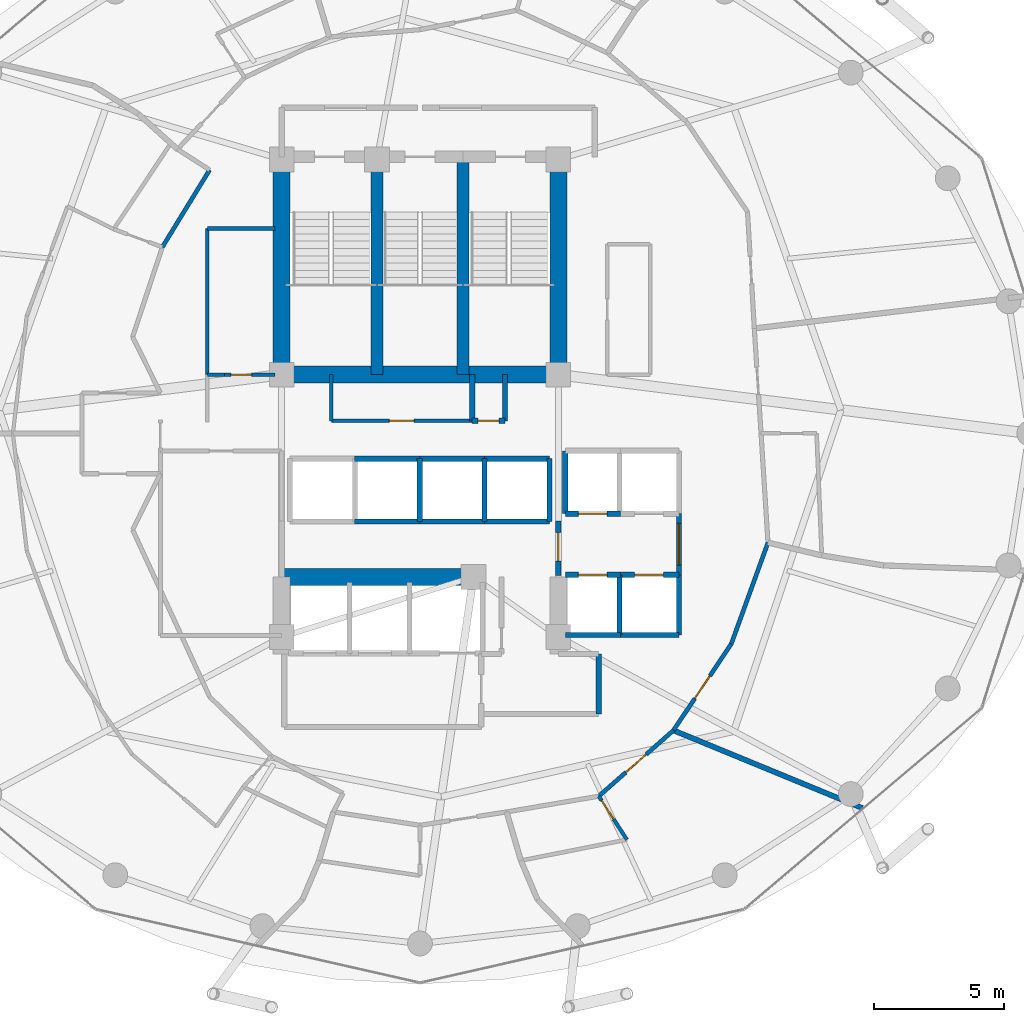
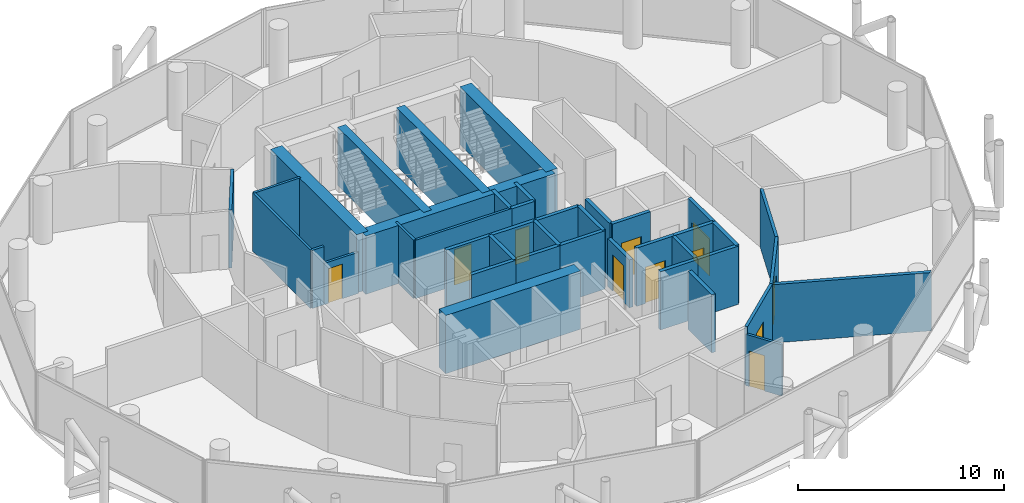
# One storey, part 23 of 26: 41 walls, 11 doors, 11 openings.
"""IFC4 building model written with IfcOpenShell, lengths in metres."""

from ifc_helpers import new_model, si_unit, direction, frame, frame_2d, origin, place, context, subcontext, project, spatial, rectangle, extrude, material, layer, layer_set, type_object, element, fill, save


model = new_model("IFC4")

# Units and contexts
model_context = context("Model", 3, precision=1e-05, world=origin(), true_north=direction((0.0, 1.0)))
body_context = subcontext(model_context, "Body", "Model", "MODEL_VIEW")
ifc_project = project(units=[si_unit("LENGTHUNIT", "METRE"), si_unit("AREAUNIT", "SQUARE_METRE"), si_unit("VOLUMEUNIT", "CUBIC_METRE"), si_unit("PLANEANGLEUNIT", "RADIAN"), si_unit("MASSUNIT", "GRAM", prefix="KILO")], contexts=[model_context])

# Site, building, storey
site_placement = place(None, origin())
site = spatial("IfcSite", under=ifc_project, at=site_placement, CompositionType="ELEMENT")
building_placement = place(site_placement, origin())
building = spatial("IfcBuilding", under=site, at=building_placement, Name="Nuhasar Tower", CompositionType="ELEMENT")
storey_placement = place(building_placement, frame((0.0, 0.0, 121.949951171875)))
storey = spatial("IfcBuildingStorey", under=building, at=storey_placement, Name="L28", CompositionType="ELEMENT", Elevation=121.949951171875)

# Walls
ifc_material_1 = material(Name="Concrete C50/60", Category="concrete")
ifc_layer_1 = layer(ifc_material_1, 0.449951171875)
ifc_layer_set_1 = layer_set([ifc_layer_1], Name="Concrete C50/60")
wall_type_1 = type_object("IfcWallType", Name="WL-CORE-450", PredefinedType="SHEAR", material=ifc_layer_set_1)
for number, where, z_axis, x_axis, name in (
    (1, (37.35009765625, 29.050048828125, 0.0), (0.0, 0.0, 1.0), (0.0, 1.0, 0.0), "L28 Stairwell Shear Wall ST01-E"),
    (2, (40.64990234375, 29.050048828125, 0.0), (0.0, 0.0, 1.0), (0.0, 1.0, 0.0), "L28 Stairwell Shear Wall ST03-E"),
):
    element("IfcWall", number, at=place(storey_placement, frame(where, z_axis=z_axis, x_axis=x_axis)), inside=storey, type_object=wall_type_1, Name=name, PredefinedType="SHEAR", context=body_context, shape_type="SweptSolid", body=[
        extrude(rectangle(XDim=8.349853515625, YDim=0.449951171875, at=frame_2d((4.1748046875, 0.0))), origin(), (0.0, 0.0, 1.0), 3.449951171875),
    ])
ifc_material_2 = material(Name="Concrete C65/80", Category="concrete")
ifc_layer_2 = layer(ifc_material_2, 0.64990234375)
ifc_layer_set_2 = layer_set([ifc_layer_2], Name="Concrete C65/80")
wall_type_2 = type_object("IfcWallType", Name="WL-CORE-650", PredefinedType="SHEAR", material=ifc_layer_set_2)
for number, where, z_axis, x_axis, name in (
    (3, (33.699951171875, 29.050048828125, 0.0), (0.0, 0.0, 1.0), (0.0, 1.0, 0.0), "L28 Core Shear Wall CW-NW CW-650"),
    (4, (44.300048828125, 29.050048828125, 0.0), (0.0, 0.0, 1.0), (0.0, 1.0, 0.0), "L28 Core Shear Wall CW-NE CW-650"),
):
    element("IfcWall", number, at=place(storey_placement, frame(where, z_axis=z_axis, x_axis=x_axis)), inside=storey, type_object=wall_type_2, Name=name, PredefinedType="SHEAR", context=body_context, shape_type="SweptSolid", body=[
        extrude(rectangle(XDim=8.349853515625, YDim=0.64990234375, at=frame_2d((4.1748046875, 0.0))), origin(), (0.0, 0.0, 1.0), 3.449951171875),
    ])
wall_1_placement = place(storey_placement, frame((33.699951171875, 29.050048828125, 0.0), z_axis=(0.0, 0.0, 1.0), x_axis=(1.0, 0.0, 0.0)))
element("IfcWall", 5, at=wall_1_placement, inside=storey, type_object=wall_type_2, Name="L28 Core Shear Wall CW-N1 CW-650", PredefinedType="SHEAR", context=body_context, shape_type="SweptSolid", body=[
    extrude(rectangle(XDim=10.60009765625, YDim=0.64990234375, at=frame_2d((5.300048828125, 0.0))), origin(), (0.0, 0.0, 1.0), 3.449951171875),
])
wall_2_placement = place(storey_placement, frame((33.699951171875, 21.300048828125, 0.0), z_axis=(0.0, 0.0, 1.0), x_axis=(1.0, 0.0, 0.0)))
element("IfcWall", 6, at=wall_2_placement, inside=storey, type_object=wall_type_2, Name="L28 Core Shear Wall CW-S1 CW-650", PredefinedType="SHEAR", context=body_context, shape_type="SweptSolid", body=[
    extrude(rectangle(XDim=7.550048828125, YDim=0.64990234375, at=frame_2d((3.77490234375, 0.0))), origin(), (0.0, 0.0, 1.0), 3.449951171875),
])

# Wall, opening, door
ifc_material_3 = material(Name="Gypsum Board", Category="gypsum")
ifc_layer_3 = layer(ifc_material_3, 0.159912109375)
ifc_layer_set_3 = layer_set([ifc_layer_3], Name="Gypsum Board")
wall_type_3 = type_object("IfcWallType", Name="WL-CORR-160", PredefinedType="PARTITIONING", material=ifc_layer_set_3)
wall_3_placement = place(storey_placement, frame((48.714111328125, 15.41796875, 0.0), z_axis=(0.0, 0.0, 1.0), x_axis=(-0.75014962781, -0.661268127083, 0.0)))
wall_3 = element("IfcWall", 7, at=wall_3_placement, inside=storey, type_object=wall_type_3, Name="L28 Interior Partition CORR-40", PredefinedType="PARTITIONING", context=body_context, shape_type="SweptSolid", body=[
    extrude(rectangle(XDim=3.8154296875, YDim=0.159912109375, at=frame_2d((1.90771484375, 0.0))), origin(), (0.0, 0.0, 1.0), 3.449951171875),
])
opening_1_placement = place(wall_3_placement, frame((1.383056640625, 0.0, 0.0)))
opening_1 = element("IfcOpeningElement", 8, at=opening_1_placement, cuts=wall_3, Name="Opening DU-01", PredefinedType="OPENING", context=body_context, shape_type="SweptSolid", body=[
    extrude(rectangle(XDim=1.050048828125, YDim=2.14990234375, at=frame_2d((0.52490234375, 1.074951171875))), frame((0.0, 0.08984375, 0.0), z_axis=(0.0, -1.0, 0.0), x_axis=(1.0, 0.0, 0.0)), (0.0, 0.0, 1.0), 0.179931640625),
])
ifc_material_4 = material(Name="Timber Oak", Category="wood")
door_type_1 = type_object("IfcDoorType", Name="DR-SUITE-FD60-1050", OperationType="NOTDEFINED", PredefinedType="DOOR", material=ifc_material_4)
door_1_placement = place(opening_1_placement, origin())
door_1 = element("IfcDoor", 9, at=door_1_placement, inside=storey, type_object=door_type_1, Name="L28 Deluxe Junior Suite 02 Entrance Door", OperationType="SINGLE_SWING_LEFT", OverallHeight=2.14990234375, OverallWidth=1.050048828125, PredefinedType="DOOR", context=body_context, shape_type="SweptSolid", body=[
    extrude(rectangle(XDim=1.050048828125, YDim=2.14990234375, at=frame_2d((0.52490234375, 1.074951171875))), frame((0.0, 0.02490234375, 0.0), z_axis=(0.0, -1.0, 0.0), x_axis=(1.0, 0.0, 0.0)), (0.0, 0.0, 1.0), 0.050048828125),
])
fill(opening_1, door_1)

wall_4_placement = place(storey_placement, frame((50.929931640625, 18.72998046875, 0.0), z_axis=(0.0, 0.0, 1.0), x_axis=(-0.556056751682, -0.831144324958, 0.0)))
wall_4 = element("IfcWall", 10, at=wall_4_placement, inside=storey, type_object=wall_type_3, Name="L28 Interior Partition CORR-42", PredefinedType="PARTITIONING", context=body_context, shape_type="SweptSolid", body=[
    extrude(rectangle(XDim=3.98486328125, YDim=0.159912109375, at=frame_2d((1.992431640625, 0.0))), origin(), (0.0, 0.0, 1.0), 3.449951171875),
])
opening_2_placement = place(wall_4_placement, frame((1.467041015625, 0.0, 0.0)))
opening_2 = element("IfcOpeningElement", 11, at=opening_2_placement, cuts=wall_4, Name="Opening DU-01", PredefinedType="OPENING", context=body_context, shape_type="SweptSolid", body=[
    extrude(rectangle(XDim=1.050048828125, YDim=2.14990234375, at=frame_2d((0.52490234375, 1.074951171875))), frame((0.0, 0.08984375, 0.0), z_axis=(0.0, -1.0, 0.0), x_axis=(1.0, 0.0, 0.0)), (0.0, 0.0, 1.0), 0.179931640625),
])
door_2_placement = place(opening_2_placement, origin())
door_2 = element("IfcDoor", 12, at=door_2_placement, inside=storey, type_object=door_type_1, Name="L28 Concierge Study Office Entrance Door", OperationType="SINGLE_SWING_RIGHT", OverallHeight=2.14990234375, OverallWidth=1.050048828125, PredefinedType="DOOR", context=body_context, shape_type="SweptSolid", body=[
    extrude(rectangle(XDim=1.050048828125, YDim=2.14990234375, at=frame_2d((0.52490234375, 1.074951171875))), frame((0.0, 0.02490234375, 0.0), z_axis=(0.0, -1.0, 0.0), x_axis=(1.0, 0.0, 0.0)), (0.0, 0.0, 1.0), 0.050048828125),
])
fill(opening_2, door_2)

# Walls
wall_5_placement = place(storey_placement, frame((50.929931640625, 18.72998046875, 0.0), z_axis=(0.0, 0.0, 1.0), x_axis=(0.34058972089, 0.940212019719, 0.0)))
element("IfcWall", 13, at=wall_5_placement, inside=storey, type_object=wall_type_3, Name="L28 Interior Partition CORR-44", PredefinedType="PARTITIONING", context=body_context, shape_type="SweptSolid", body=[
    extrude(rectangle(XDim=4.131103515625, YDim=0.159912109375, at=frame_2d((2.0654296875, 0.0))), origin(), (0.0, 0.0, 1.0), 3.449951171875),
])
wall_6_placement = place(storey_placement, frame((30.93896484375, 36.89697265625, 0.0), z_axis=(0.0, 0.0, 1.0), x_axis=(-0.522486120877, -0.852647789823, 0.0)))
element("IfcWall", 14, at=wall_6_placement, inside=storey, type_object=wall_type_3, Name="L28 Interior Partition HWEST-CORE-N-18", PredefinedType="PARTITIONING", context=body_context, shape_type="SweptSolid", body=[
    extrude(rectangle(XDim=3.468017578125, YDim=0.159912109375, at=frame_2d((1.73388671875, 0.0))), origin(), (0.0, 0.0, 1.0), 3.449951171875),
])

# Wall, opening, door
ifc_material_5 = material(Name="Concrete C45/55", Category="concrete")
ifc_layer_4 = layer(ifc_material_5, 0.199951171875)
ifc_layer_set_4 = layer_set([ifc_layer_4], Name="Concrete C45/55")
wall_type_4 = type_object("IfcWallType", Name="WL-LOBBY-200", PredefinedType="SOLIDWALL", material=ifc_layer_set_4)
wall_7_placement = place(storey_placement, frame((48.929931640625, 21.3798828125, 0.0), z_axis=(0.0, 0.0, 1.0), x_axis=(0.0, 1.0, 0.0)))
wall_7 = element("IfcWall", 15, at=wall_7_placement, inside=storey, type_object=wall_type_4, Name="L28 Interior Partition LLBM-E", PredefinedType="SOLIDWALL", context=body_context, shape_type="SweptSolid", body=[
    extrude(rectangle(XDim=2.340087890625, YDim=0.199951171875, at=frame_2d((1.169921875, 0.0))), origin(), (0.0, 0.0, 1.0), 3.449951171875),
])
opening_3_placement = place(wall_7_placement, frame((0.3701171875, 0.0, 0.0)))
opening_3 = element("IfcOpeningElement", 16, at=opening_3_placement, cuts=wall_7, Name="Opening DC-01", PredefinedType="OPENING", context=body_context, shape_type="SweptSolid", body=[
    extrude(rectangle(XDim=1.60009765625, YDim=2.199951171875, at=frame_2d((0.800048828125, 1.10009765625))), frame((0.0, 0.10986328125, 0.0), z_axis=(0.0, -1.0, 0.0), x_axis=(1.0, 0.0, 0.0)), (0.0, 0.0, 1.0), 0.219970703125),
])
ifc_material_6 = material(Name="Steel S355", Category="steel")
door_type_2 = type_object("IfcDoorType", Name="DR-CORR-FD60-1600", OperationType="DOUBLE_DOOR_SINGLE_SWING", PredefinedType="DOOR", material=ifc_material_6)
door_3_placement = place(opening_3_placement, origin())
door_3 = element("IfcDoor", 17, at=door_3_placement, inside=storey, type_object=door_type_2, Name="L28 Mid-Rise Lift Lobby East Entry", OperationType="DOUBLE_DOOR_SINGLE_SWING", OverallHeight=2.199951171875, OverallWidth=1.60009765625, PredefinedType="DOOR", context=body_context, shape_type="SweptSolid", body=[
    extrude(rectangle(XDim=1.60009765625, YDim=2.199951171875, at=frame_2d((0.800048828125, 1.10009765625))), frame((0.0, 0.02490234375, 0.0), z_axis=(0.0, -1.0, 0.0), x_axis=(1.0, 0.0, 0.0)), (0.0, 0.0, 1.0), 0.050048828125),
])
fill(opening_3, door_3)

wall_8_placement = place(storey_placement, frame((44.300048828125, 21.35009765625, 0.0), z_axis=(0.0, 0.0, 1.0), x_axis=(0.0, 1.0, 0.0)))
wall_8 = element("IfcWall", 18, at=wall_8_placement, inside=storey, type_object=wall_type_4, Name="L28 Interior Partition LLBH-E", PredefinedType="SOLIDWALL", context=body_context, shape_type="SweptSolid", body=[
    extrude(rectangle(XDim=2.099853515625, YDim=0.199951171875, at=frame_2d((1.0498046875, 0.0))), origin(), (0.0, 0.0, 1.0), 2.8349609375),
])
opening_4_placement = place(wall_8_placement, frame((0.550048828125, 0.0, 0.0)))
opening_4 = element("IfcOpeningElement", 19, at=opening_4_placement, cuts=wall_8, Name="Opening DS-02", PredefinedType="OPENING", context=body_context, shape_type="SweptSolid", body=[
    extrude(rectangle(XDim=1.10009765625, YDim=2.14990234375, at=frame_2d((0.550048828125, 1.074951171875))), frame((0.0, 0.10986328125, 0.0), z_axis=(0.0, -1.0, 0.0), x_axis=(1.0, 0.0, 0.0)), (0.0, 0.0, 1.0), 0.219970703125),
])
door_type_3 = type_object("IfcDoorType", Name="DR-FFL-FD120-1100", OperationType="NOTDEFINED", PredefinedType="DOOR", material=ifc_material_6)
door_4_placement = place(opening_4_placement, origin())
door_4 = element("IfcDoor", 20, at=door_4_placement, inside=storey, type_object=door_type_3, Name="L28 High-Rise Lobby East Door", OperationType="SINGLE_SWING_RIGHT", OverallHeight=2.14990234375, OverallWidth=1.10009765625, PredefinedType="DOOR", context=body_context, shape_type="SweptSolid", body=[
    extrude(rectangle(XDim=1.10009765625, YDim=2.14990234375, at=frame_2d((0.550048828125, 1.074951171875))), frame((0.0, 0.02490234375, 0.0), z_axis=(0.0, -1.0, 0.0), x_axis=(1.0, 0.0, 0.0)), (0.0, 0.0, 1.0), 0.050048828125),
])
fill(opening_4, door_4)

# Walls
wall_9_placement = place(storey_placement, frame((45.85009765625, 16.050048828125, 0.0), z_axis=(0.0, 0.0, 1.0), x_axis=(0.0, 1.0, 0.0)))
element("IfcWall", 21, at=wall_9_placement, inside=storey, type_object=wall_type_4, Name="L28 Interior Partition SVLV-E", PredefinedType="SOLIDWALL", context=body_context, shape_type="SweptSolid", body=[
    extrude(rectangle(XDim=2.300048828125, YDim=0.199951171875, at=frame_2d((1.14990234375, 0.0))), origin(), (0.0, 0.0, 1.0), 3.449951171875),
])
ifc_layer_5 = layer(ifc_material_5, 0.199951171875)
ifc_layer_set_5 = layer_set([ifc_layer_5], Name="Concrete C45/55")
wall_type_5 = type_object("IfcWallType", Name="WL-SHAFT-200", PredefinedType="SOLIDWALL", material=ifc_layer_set_5)
for number, where, z_axis, x_axis, name in (
    (22, (41.0, 27.280029296875, 0.0), (0.0, 0.0, 1.0), (0.0, 1.0, 0.0), "L28 Interior Partition RSRN-W"),
    (23, (42.260009765625, 27.280029296875, 0.0), (0.0, 0.0, 1.0), (0.0, 1.0, 0.0), "L28 Interior Partition RSRN-E"),
):
    element("IfcWall", number, at=place(storey_placement, frame(where, z_axis=z_axis, x_axis=x_axis)), inside=storey, type_object=wall_type_5, Name=name, PredefinedType="SOLIDWALL", context=body_context, shape_type="SweptSolid", body=[
        extrude(rectangle(XDim=1.77001953125, YDim=0.199951171875, at=frame_2d((0.885009765625, 0.0))), origin(), (0.0, 0.0, 1.0), 3.449951171875),
    ])

# Wall, opening, door
wall_10_placement = place(storey_placement, frame((41.0, 27.280029296875, 0.0), z_axis=(0.0, 0.0, 1.0), x_axis=(1.0, 0.0, 0.0)))
wall_10 = element("IfcWall", 24, at=wall_10_placement, inside=storey, type_object=wall_type_5, Name="L28 Interior Partition RSRN-S", PredefinedType="SOLIDWALL", context=body_context, shape_type="SweptSolid", body=[
    extrude(rectangle(XDim=1.260009765625, YDim=0.199951171875, at=frame_2d((0.6298828125, 0.0))), origin(), (0.0, 0.0, 1.0), 3.449951171875),
])
opening_5_placement = place(wall_10_placement, frame((0.22998046875, 0.0, 0.0)))
opening_5 = element("IfcOpeningElement", 25, at=opening_5_placement, cuts=wall_10, Name="Opening DM-01", PredefinedType="OPENING", context=body_context, shape_type="SweptSolid", body=[
    extrude(rectangle(XDim=0.800048828125, YDim=2.050048828125, at=frame_2d((0.39990234375, 1.02490234375))), frame((0.0, 0.10986328125, 0.0), z_axis=(0.0, -1.0, 0.0), x_axis=(1.0, 0.0, 0.0)), (0.0, 0.0, 1.0), 0.219970703125),
])
door_type_4 = type_object("IfcDoorType", Name="DR-RISER-FD60-800", OperationType="NOTDEFINED", PredefinedType="DOOR", material=ifc_material_6)
door_5_placement = place(opening_5_placement, origin())
door_5 = element("IfcDoor", 26, at=door_5_placement, inside=storey, type_object=door_type_4, Name="L28 North Smoke Riser Door", OperationType="SINGLE_SWING_RIGHT", OverallHeight=2.050048828125, OverallWidth=0.800048828125, PredefinedType="DOOR", context=body_context, shape_type="SweptSolid", body=[
    extrude(rectangle(XDim=0.800048828125, YDim=2.050048828125, at=frame_2d((0.39990234375, 1.02490234375))), frame((0.0, 0.02490234375, 0.0), z_axis=(0.0, -1.0, 0.0), x_axis=(1.0, 0.0, 0.0)), (0.0, 0.0, 1.0), 0.050048828125),
])
fill(opening_5, door_5)

wall_11_placement = place(storey_placement, frame((44.570068359375, 23.719970703125, 0.0), z_axis=(0.0, 0.0, 1.0), x_axis=(1.0, 0.0, 0.0)))
wall_11 = element("IfcWall", 27, at=wall_11_placement, inside=storey, type_object=wall_type_5, Name="L28 Interior Partition SHF-PL-M01-S", PredefinedType="SOLIDWALL", context=body_context, shape_type="SweptSolid", body=[
    extrude(rectangle(XDim=2.10986328125, YDim=0.199951171875, at=frame_2d((1.054931640625, 0.0))), origin(), (0.0, 0.0, 1.0), 3.449951171875),
])
opening_6_placement = place(wall_11_placement, frame((0.5048828125, 0.0, 0.0)))
opening_6 = element("IfcOpeningElement", 28, at=opening_6_placement, cuts=wall_11, Name="Opening LD-M01", PredefinedType="OPENING", context=body_context, shape_type="SweptSolid", body=[
    extrude(rectangle(XDim=1.10009765625, YDim=2.14990234375, at=frame_2d((0.550048828125, 1.074951171875))), frame((0.0, 0.10986328125, 0.0), z_axis=(0.0, -1.0, 0.0), x_axis=(1.0, 0.0, 0.0)), (0.0, 0.0, 1.0), 0.219970703125),
])
ifc_material_7 = material(Name="Stainless Steel 316L", Category="steel")
door_type_5 = type_object("IfcDoorType", Name="LD-PAX-1100", OperationType="DOUBLE_DOOR_SLIDING", PredefinedType="DOOR", material=ifc_material_7)
door_6_placement = place(opening_6_placement, origin())
door_6 = element("IfcDoor", 29, at=door_6_placement, inside=storey, type_object=door_type_5, Name="L28 Lift Landing Door PL-M01", OperationType="DOUBLE_DOOR_SLIDING", OverallHeight=2.14990234375, OverallWidth=1.10009765625, PredefinedType="DOOR", context=body_context, shape_type="SweptSolid", body=[
    extrude(rectangle(XDim=1.10009765625, YDim=2.14990234375, at=frame_2d((0.550048828125, 1.074951171875))), frame((0.0, 0.02490234375, 0.0), z_axis=(0.0, -1.0, 0.0), x_axis=(1.0, 0.0, 0.0)), (0.0, 0.0, 1.0), 0.050048828125),
])
fill(opening_6, door_6)

# Walls
wall_12_placement = place(storey_placement, frame((44.570068359375, 23.719970703125, 0.0), z_axis=(0.0, 0.0, 1.0), x_axis=(0.0, 1.0, 0.0)))
element("IfcWall", 30, at=wall_12_placement, inside=storey, type_object=wall_type_5, Name="L28 Interior Partition SHF-PL-M01-W", PredefinedType="SOLIDWALL", context=body_context, shape_type="SweptSolid", body=[
    extrude(rectangle(XDim=2.409912109375, YDim=0.199951171875, at=frame_2d((1.205078125, 0.0))), origin(), (0.0, 0.0, 1.0), 3.449951171875),
])
wall_13_placement = place(storey_placement, frame((44.570068359375, 19.070068359375, 0.0), z_axis=(0.0, 0.0, 1.0), x_axis=(1.0, 0.0, 0.0)))
element("IfcWall", 31, at=wall_13_placement, inside=storey, type_object=wall_type_5, Name="L28 Interior Partition SHF-PL-M03-S", PredefinedType="SOLIDWALL", context=body_context, shape_type="SweptSolid", body=[
    extrude(rectangle(XDim=2.10986328125, YDim=0.199951171875, at=frame_2d((1.054931640625, 0.0))), origin(), (0.0, 0.0, 1.0), 3.449951171875),
])

# Wall, opening, door
wall_14_placement = place(storey_placement, frame((44.570068359375, 21.3798828125, 0.0), z_axis=(0.0, 0.0, 1.0), x_axis=(1.0, 0.0, 0.0)))
wall_14 = element("IfcWall", 32, at=wall_14_placement, inside=storey, type_object=wall_type_5, Name="L28 Interior Partition SHF-PL-M03-N", PredefinedType="SOLIDWALL", context=body_context, shape_type="SweptSolid", body=[
    extrude(rectangle(XDim=2.10986328125, YDim=0.199951171875, at=frame_2d((1.054931640625, 0.0))), origin(), (0.0, 0.0, 1.0), 3.449951171875),
])
opening_7_placement = place(wall_14_placement, frame((0.5048828125, 0.0, 0.0)))
opening_7 = element("IfcOpeningElement", 33, at=opening_7_placement, cuts=wall_14, Name="Opening LD-M03", PredefinedType="OPENING", context=body_context, shape_type="SweptSolid", body=[
    extrude(rectangle(XDim=1.10009765625, YDim=2.14990234375, at=frame_2d((0.550048828125, 1.074951171875))), frame((0.0, 0.10986328125, 0.0), z_axis=(0.0, -1.0, 0.0), x_axis=(1.0, 0.0, 0.0)), (0.0, 0.0, 1.0), 0.219970703125),
])
door_7_placement = place(opening_7_placement, origin())
door_7 = element("IfcDoor", 34, at=door_7_placement, inside=storey, type_object=door_type_5, Name="L28 Lift Landing Door PL-M03", OperationType="DOUBLE_DOOR_SLIDING", OverallHeight=2.14990234375, OverallWidth=1.10009765625, PredefinedType="DOOR", context=body_context, shape_type="SweptSolid", body=[
    extrude(rectangle(XDim=1.10009765625, YDim=2.14990234375, at=frame_2d((0.550048828125, 1.074951171875))), frame((0.0, 0.02490234375, 0.0), z_axis=(0.0, -1.0, 0.0), x_axis=(1.0, 0.0, 0.0)), (0.0, 0.0, 1.0), 0.050048828125),
])
fill(opening_7, door_7)

# Walls
for number, where, z_axis, x_axis, name in (
    (35, (46.64990234375, 19.070068359375, 0.0), (0.0, 0.0, 1.0), (0.0, 1.0, 0.0), "L28 Interior Partition SHF-PL-M03-E"),
    (36, (46.6201171875, 19.070068359375, 0.0), (0.0, 0.0, 1.0), (1.0, 0.0, 0.0), "L28 Interior Partition SHF-PL-M04-S"),
):
    element("IfcWall", number, at=place(storey_placement, frame(where, z_axis=z_axis, x_axis=x_axis)), inside=storey, type_object=wall_type_5, Name=name, PredefinedType="SOLIDWALL", context=body_context, shape_type="SweptSolid", body=[
        extrude(rectangle(XDim=2.309814453125, YDim=0.199951171875, at=frame_2d((1.15478515625, 0.0))), origin(), (0.0, 0.0, 1.0), 3.449951171875),
    ])

# Wall, opening, door
wall_15_placement = place(storey_placement, frame((46.6201171875, 21.3798828125, 0.0), z_axis=(0.0, 0.0, 1.0), x_axis=(1.0, 0.0, 0.0)))
wall_15 = element("IfcWall", 37, at=wall_15_placement, inside=storey, type_object=wall_type_5, Name="L28 Interior Partition SHF-PL-M04-N", PredefinedType="SOLIDWALL", context=body_context, shape_type="SweptSolid", body=[
    extrude(rectangle(XDim=2.309814453125, YDim=0.199951171875, at=frame_2d((1.15478515625, 0.0))), origin(), (0.0, 0.0, 1.0), 3.449951171875),
])
opening_8_placement = place(wall_15_placement, frame((0.60498046875, 0.0, 0.0)))
opening_8 = element("IfcOpeningElement", 38, at=opening_8_placement, cuts=wall_15, Name="Opening LD-M04", PredefinedType="OPENING", context=body_context, shape_type="SweptSolid", body=[
    extrude(rectangle(XDim=1.10009765625, YDim=2.14990234375, at=frame_2d((0.550048828125, 1.074951171875))), frame((0.0, 0.10986328125, 0.0), z_axis=(0.0, -1.0, 0.0), x_axis=(1.0, 0.0, 0.0)), (0.0, 0.0, 1.0), 0.219970703125),
])
door_8_placement = place(opening_8_placement, origin())
door_8 = element("IfcDoor", 39, at=door_8_placement, inside=storey, type_object=door_type_5, Name="L28 Lift Landing Door PL-M04", OperationType="DOUBLE_DOOR_SLIDING", OverallHeight=2.14990234375, OverallWidth=1.10009765625, PredefinedType="DOOR", context=body_context, shape_type="SweptSolid", body=[
    extrude(rectangle(XDim=1.10009765625, YDim=2.14990234375, at=frame_2d((0.550048828125, 1.074951171875))), frame((0.0, 0.02490234375, 0.0), z_axis=(0.0, -1.0, 0.0), x_axis=(1.0, 0.0, 0.0)), (0.0, 0.0, 1.0), 0.050048828125),
])
fill(opening_8, door_8)

# Walls
wall_16_placement = place(storey_placement, frame((48.929931640625, 19.070068359375, 0.0), z_axis=(0.0, 0.0, 1.0), x_axis=(0.0, 1.0, 0.0)))
element("IfcWall", 40, at=wall_16_placement, inside=storey, type_object=wall_type_5, Name="L28 Interior Partition SHF-PL-M04-E", PredefinedType="SOLIDWALL", context=body_context, shape_type="SweptSolid", body=[
    extrude(rectangle(XDim=2.309814453125, YDim=0.199951171875, at=frame_2d((1.15478515625, 0.0))), origin(), (0.0, 0.0, 1.0), 3.449951171875),
])
for number, where, z_axis, x_axis, name in (
    (41, (36.5, 23.419921875, 0.0), (0.0, 0.0, 1.0), (1.0, 0.0, 0.0), "L28 Interior Partition SHF-PL-H02-S"),
    (42, (36.5, 25.830078125, 0.0), (0.0, 0.0, 1.0), (1.0, 0.0, 0.0), "L28 Interior Partition SHF-PL-H02-N"),
):
    element("IfcWall", number, at=place(storey_placement, frame(where, z_axis=z_axis, x_axis=x_axis)), inside=storey, type_object=wall_type_5, Name=name, PredefinedType="SOLIDWALL", context=body_context, shape_type="SweptSolid", body=[
        extrude(rectangle(XDim=2.5, YDim=0.199951171875, at=frame_2d((1.25, 0.0))), origin(), (0.0, 0.0, 1.0), 3.449951171875),
    ])
wall_17_placement = place(storey_placement, frame((38.989990234375, 23.419921875, 0.0), z_axis=(0.0, 0.0, 1.0), x_axis=(0.0, 1.0, 0.0)))
element("IfcWall", 43, at=wall_17_placement, inside=storey, type_object=wall_type_5, Name="L28 Interior Partition SHF-PL-H02-E", PredefinedType="SOLIDWALL", context=body_context, shape_type="SweptSolid", body=[
    extrude(rectangle(XDim=2.41015625, YDim=0.199951171875, at=frame_2d((1.205078125, 0.0))), origin(), (0.0, 0.0, 1.0), 3.449951171875),
])
for number, where, z_axis, x_axis, name in (
    (44, (38.97998046875, 23.419921875, 0.0), (0.0, 0.0, 1.0), (1.0, 0.0, 0.0), "L28 Interior Partition SHF-PL-H03-S"),
    (45, (38.97998046875, 25.830078125, 0.0), (0.0, 0.0, 1.0), (1.0, 0.0, 0.0), "L28 Interior Partition SHF-PL-H03-N"),
):
    element("IfcWall", number, at=place(storey_placement, frame(where, z_axis=z_axis, x_axis=x_axis)), inside=storey, type_object=wall_type_5, Name=name, PredefinedType="SOLIDWALL", context=body_context, shape_type="SweptSolid", body=[
        extrude(rectangle(XDim=2.5, YDim=0.199951171875, at=frame_2d((1.25, 0.0))), origin(), (0.0, 0.0, 1.0), 3.449951171875),
    ])
wall_18_placement = place(storey_placement, frame((41.469970703125, 23.419921875, 0.0), z_axis=(0.0, 0.0, 1.0), x_axis=(0.0, 1.0, 0.0)))
element("IfcWall", 46, at=wall_18_placement, inside=storey, type_object=wall_type_5, Name="L28 Interior Partition SHF-PL-H03-E", PredefinedType="SOLIDWALL", context=body_context, shape_type="SweptSolid", body=[
    extrude(rectangle(XDim=2.41015625, YDim=0.199951171875, at=frame_2d((1.205078125, 0.0))), origin(), (0.0, 0.0, 1.0), 3.449951171875),
])
for number, where, z_axis, x_axis, name in (
    (47, (41.4599609375, 23.419921875, 0.0), (0.0, 0.0, 1.0), (1.0, 0.0, 0.0), "L28 Interior Partition SHF-PL-H04-S"),
    (48, (41.4599609375, 25.830078125, 0.0), (0.0, 0.0, 1.0), (1.0, 0.0, 0.0), "L28 Interior Partition SHF-PL-H04-N"),
):
    element("IfcWall", number, at=place(storey_placement, frame(where, z_axis=z_axis, x_axis=x_axis)), inside=storey, type_object=wall_type_5, Name=name, PredefinedType="SOLIDWALL", context=body_context, shape_type="SweptSolid", body=[
        extrude(rectangle(XDim=2.5, YDim=0.199951171875, at=frame_2d((1.25, 0.0))), origin(), (0.0, 0.0, 1.0), 3.449951171875),
    ])
wall_19_placement = place(storey_placement, frame((43.9599609375, 23.419921875, 0.0), z_axis=(0.0, 0.0, 1.0), x_axis=(0.0, 1.0, 0.0)))
element("IfcWall", 49, at=wall_19_placement, inside=storey, type_object=wall_type_5, Name="L28 Interior Partition SHF-PL-H04-E", PredefinedType="SOLIDWALL", context=body_context, shape_type="SweptSolid", body=[
    extrude(rectangle(XDim=2.41015625, YDim=0.199951171875, at=frame_2d((1.205078125, 0.0))), origin(), (0.0, 0.0, 1.0), 3.449951171875),
])
ifc_material_8 = material(Name="Concrete C40/50 precast", Category="concrete")
ifc_layer_6 = layer(ifc_material_8, 0.199951171875)
ifc_layer_set_6 = layer_set([ifc_layer_6], Name="Concrete C40/50 precast")
wall_type_6 = type_object("IfcWallType", Name="WL-UNIT-200", PredefinedType="PARTITIONING", material=ifc_layer_set_6)
wall_20_placement = place(storey_placement, frame((48.714111328125, 15.41796875, 0.0), z_axis=(0.0, 0.0, 1.0), x_axis=(0.924811697955, -0.380425187555, 0.0)))
element("IfcWall", 50, at=wall_20_placement, inside=storey, type_object=wall_type_6, Name="L28 Interior Partition HRAD-42", PredefinedType="PARTITIONING", context=body_context, shape_type="SweptSolid", body=[
    extrude(rectangle(XDim=7.830810546875, YDim=0.199951171875, at=frame_2d((3.91552734375, 0.0))), origin(), (0.0, 0.0, 1.0), 3.449951171875),
])
ifc_layer_7 = layer(ifc_material_8, 0.139892578125)
ifc_layer_set_7 = layer_set([ifc_layer_7], Name="Concrete C40/50 precast")
wall_type_7 = type_object("IfcWallType", Name="WL-WET-140", PredefinedType="PARTITIONING", material=ifc_layer_set_7)
wall_21_placement = place(storey_placement, frame((35.60009765625, 27.280029296875, 0.0), z_axis=(0.0, 0.0, 1.0), x_axis=(0.0, 1.0, 0.0)))
element("IfcWall", 51, at=wall_21_placement, inside=storey, type_object=wall_type_7, Name="L28 Interior Partition CSVC-W", PredefinedType="PARTITIONING", context=body_context, shape_type="SweptSolid", body=[
    extrude(rectangle(XDim=1.77001953125, YDim=0.139892578125, at=frame_2d((0.885009765625, 0.0))), origin(), (0.0, 0.0, 1.0), 3.449951171875),
])

# Wall, opening, door
wall_22_placement = place(storey_placement, frame((35.60009765625, 27.280029296875, 0.0), z_axis=(0.0, 0.0, 1.0), x_axis=(1.0, 0.0, 0.0)))
wall_22 = element("IfcWall", 52, at=wall_22_placement, inside=storey, type_object=wall_type_7, Name="L28 Interior Partition CSVC-S", PredefinedType="PARTITIONING", context=body_context, shape_type="SweptSolid", body=[
    extrude(rectangle(XDim=5.39990234375, YDim=0.139892578125, at=frame_2d((2.699951171875, 0.0))), origin(), (0.0, 0.0, 1.0), 3.449951171875),
])
opening_9_placement = place(wall_22_placement, frame((2.22509765625, 0.0, 0.0)))
opening_9 = element("IfcOpeningElement", 53, at=opening_9_placement, cuts=wall_22, Name="Opening DA-01", PredefinedType="OPENING", context=body_context, shape_type="SweptSolid", body=[
    extrude(rectangle(XDim=0.949951171875, YDim=2.10009765625, at=frame_2d((0.47509765625, 1.050048828125))), frame((0.0, 0.080078125, 0.0), z_axis=(0.0, -1.0, 0.0), x_axis=(1.0, 0.0, 0.0)), (0.0, 0.0, 1.0), 0.159912109375),
])
door_type_6 = type_object("IfcDoorType", Name="DR-ACCWC-950", OperationType="NOTDEFINED", PredefinedType="DOOR", material=ifc_material_4)
door_9_placement = place(opening_9_placement, origin())
door_9 = element("IfcDoor", 54, at=door_9_placement, inside=storey, type_object=door_type_6, Name="L28 Core Accessible Restroom Door", OperationType="SINGLE_SWING_LEFT", OverallHeight=2.10009765625, OverallWidth=0.949951171875, PredefinedType="DOOR", context=body_context, shape_type="SweptSolid", body=[
    extrude(rectangle(XDim=0.949951171875, YDim=2.10009765625, at=frame_2d((0.47509765625, 1.050048828125))), frame((0.0, 0.02490234375, 0.0), z_axis=(0.0, -1.0, 0.0), x_axis=(1.0, 0.0, 0.0)), (0.0, 0.0, 1.0), 0.050048828125),
])
fill(opening_9, door_9)

# Wall
wall_23_placement = place(storey_placement, frame((30.85009765625, 29.050048828125, 0.0), z_axis=(0.0, 0.0, 1.0), x_axis=(1.0, 0.0, 0.0)))
element("IfcWall", 55, at=wall_23_placement, inside=storey, type_object=wall_type_7, Name="L28 Interior Partition K3-NW-S", PredefinedType="PARTITIONING", context=body_context, shape_type="SweptSolid", body=[
    extrude(rectangle(XDim=0.66796875, YDim=0.139892578125, at=frame_2d((0.333984375, 0.0))), origin(), (0.0, 0.0, 1.0), 3.449951171875),
])

# Wall, opening, door
wall_24_placement = place(storey_placement, frame((31.51806640625, 29.050048828125, 0.0), z_axis=(0.0, 0.0, 1.0), x_axis=(1.0, 0.0, 0.0)))
wall_24 = element("IfcWall", 56, at=wall_24_placement, inside=storey, type_object=wall_type_7, Name="L28 Interior Partition K3-NW-S", PredefinedType="PARTITIONING", context=body_context, shape_type="SweptSolid", body=[
    extrude(rectangle(XDim=1.931884765625, YDim=0.139892578125, at=frame_2d((0.9658203125, 0.0))), origin(), (0.0, 0.0, 1.0), 2.43994140625),
])
opening_10_placement = place(wall_24_placement, frame((0.23193359375, 0.0, 0.0)))
opening_10 = element("IfcOpeningElement", 57, at=opening_10_placement, cuts=wall_24, Name="Opening DM-01", PredefinedType="OPENING", context=body_context, shape_type="SweptSolid", body=[
    extrude(rectangle(XDim=0.800048828125, YDim=2.050048828125, at=frame_2d((0.39990234375, 1.02490234375))), frame((0.0, 0.080078125, 0.0), z_axis=(0.0, -1.0, 0.0), x_axis=(1.0, 0.0, 0.0)), (0.0, 0.0, 1.0), 0.159912109375),
])
door_10_placement = place(opening_10_placement, origin())
door_10 = element("IfcDoor", 58, at=door_10_placement, inside=storey, type_object=door_type_4, Name="L28 NW Electrical Room Door", OperationType="SINGLE_SWING_LEFT", OverallHeight=2.050048828125, OverallWidth=0.800048828125, PredefinedType="DOOR", context=body_context, shape_type="SweptSolid", body=[
    extrude(rectangle(XDim=0.800048828125, YDim=2.050048828125, at=frame_2d((0.39990234375, 1.02490234375))), frame((0.0, 0.02490234375, 0.0), z_axis=(0.0, -1.0, 0.0), x_axis=(1.0, 0.0, 0.0)), (0.0, 0.0, 1.0), 0.050048828125),
])
fill(opening_10, door_10)

# Walls
wall_25_placement = place(storey_placement, frame((30.85009765625, 34.64990234375, 0.0), z_axis=(0.0, 0.0, 1.0), x_axis=(1.0, 0.0, 0.0)))
element("IfcWall", 59, at=wall_25_placement, inside=storey, type_object=wall_type_7, Name="L28 Interior Partition K3-NW-N", PredefinedType="PARTITIONING", context=body_context, shape_type="SweptSolid", body=[
    extrude(rectangle(XDim=2.599853515625, YDim=0.139892578125, at=frame_2d((1.2998046875, 0.0))), origin(), (0.0, 0.0, 1.0), 3.449951171875),
])
wall_26_placement = place(storey_placement, frame((30.85009765625, 29.050048828125, 0.0), z_axis=(0.0, 0.0, 1.0), x_axis=(0.0, 1.0, 0.0)))
element("IfcWall", 60, at=wall_26_placement, inside=storey, type_object=wall_type_7, Name="L28 Interior Partition K3-NW-W", PredefinedType="PARTITIONING", context=body_context, shape_type="SweptSolid", body=[
    extrude(rectangle(XDim=5.599853515625, YDim=0.139892578125, at=frame_2d((2.7998046875, 0.0))), origin(), (0.0, 0.0, 1.0), 3.449951171875),
])

# Wall, opening, door
wall_27_placement = place(storey_placement, frame((45.85205078125, 12.89501953125, 0.0), z_axis=(0.0, 0.0, 1.0), x_axis=(0.543082802876, -0.839679146591, 0.0)))
wall_27 = element("IfcWall", 61, at=wall_27_placement, inside=storey, type_object=wall_type_7, Name="L28 Interior Partition HBW-02", PredefinedType="PARTITIONING", context=body_context, shape_type="SweptSolid", body=[
    extrude(rectangle(XDim=1.98291015625, YDim=0.139892578125, at=frame_2d((0.991455078125, 0.0))), origin(), (0.0, 0.0, 1.0), 3.0400390625),
])
opening_11_placement = place(wall_27_placement, frame((0.199951171875, 0.0, 0.0)))
opening_11 = element("IfcOpeningElement", 62, at=opening_11_placement, cuts=wall_27, Name="Opening DB-01", PredefinedType="OPENING", context=body_context, shape_type="SweptSolid", body=[
    extrude(rectangle(XDim=0.85009765625, YDim=2.10009765625, at=frame_2d((0.425048828125, 1.050048828125))), frame((0.0, 0.080078125, 0.0), z_axis=(0.0, -1.0, 0.0), x_axis=(1.0, 0.0, 0.0)), (0.0, 0.0, 1.0), 0.159912109375),
])
door_type_7 = type_object("IfcDoorType", Name="DR-BATH-850", OperationType="NOTDEFINED", PredefinedType="DOOR", material=ifc_material_4)
door_11_placement = place(opening_11_placement, origin())
door_11 = element("IfcDoor", 63, at=door_11_placement, inside=storey, type_object=door_type_7, Name="L28 Deluxe Junior Suite 02 En-Suite Door", OperationType="SINGLE_SWING_LEFT", OverallHeight=2.10009765625, OverallWidth=0.85009765625, PredefinedType="DOOR", context=body_context, shape_type="SweptSolid", body=[
    extrude(rectangle(XDim=0.85009765625, YDim=2.10009765625, at=frame_2d((0.425048828125, 1.050048828125))), frame((0.0, 0.02490234375, 0.0), z_axis=(0.0, -1.0, 0.0), x_axis=(1.0, 0.0, 0.0)), (0.0, 0.0, 1.0), 0.050048828125),
])
fill(opening_11, door_11)

save(model, "model.ifc")
